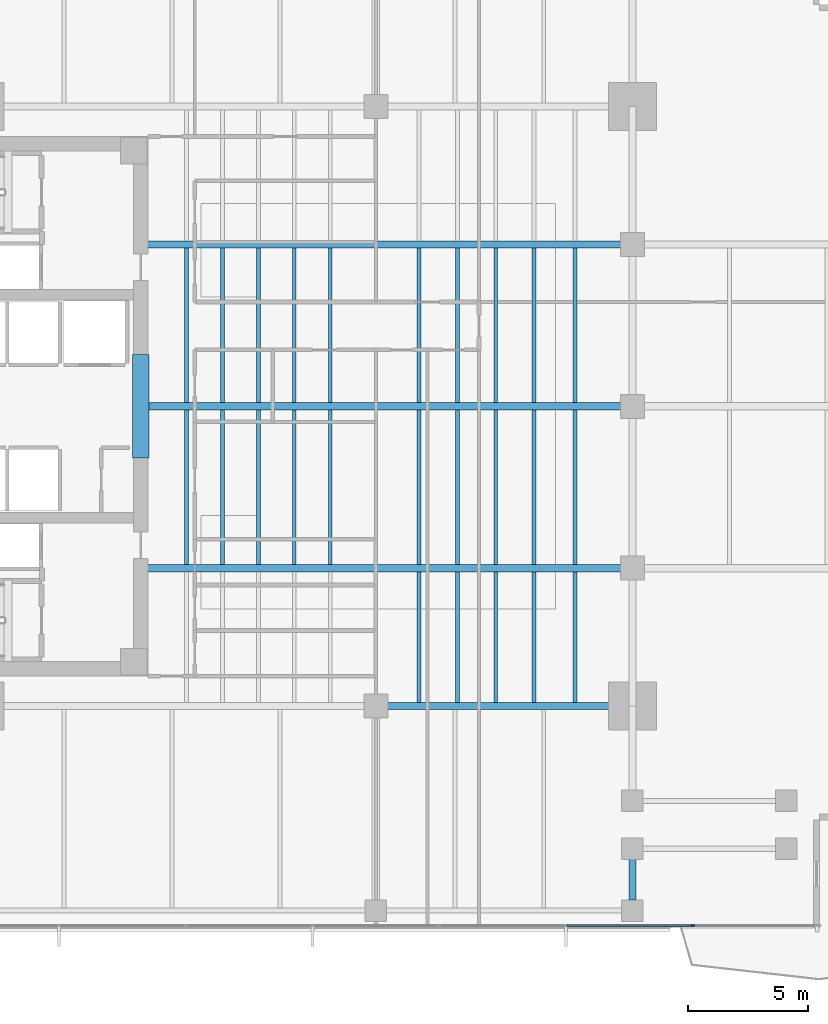
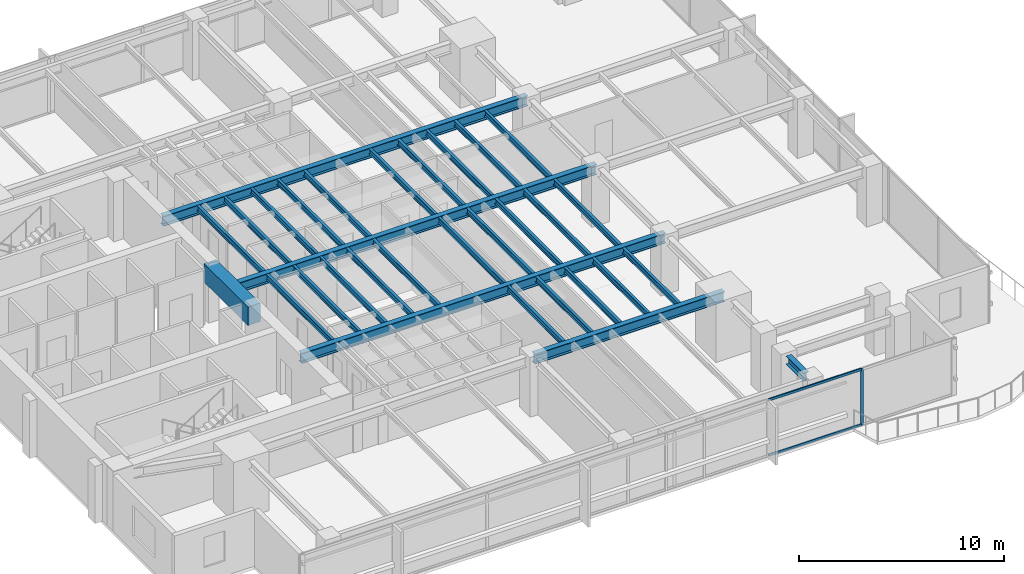
# One storey, part 3 of 14: 31 beams, 3 members, 1 element without a shape of its own.
"""IFC4 building model written with IfcOpenShell, lengths in metres."""

from ifc_helpers import new_model, si_unit, direction, frame, origin, origin_2d, place, context, subcontext, project, spatial, rectangle, i_section, extrude, material, layer, layer_set, material_profile, profile_set, type_object, element, aggregate, save


model = new_model("IFC4")

# Units and contexts
model_context = context("Model", 3, precision=1e-05, world=origin(), true_north=direction((0.0, 1.0)))
body_context = subcontext(model_context, "Body", "Model", "MODEL_VIEW")
ifc_project = project(units=[si_unit("LENGTHUNIT", "METRE"), si_unit("AREAUNIT", "SQUARE_METRE"), si_unit("VOLUMEUNIT", "CUBIC_METRE"), si_unit("PLANEANGLEUNIT", "RADIAN"), si_unit("MASSUNIT", "GRAM", prefix="KILO")], contexts=[model_context])

# Site, building, storey
site_placement = place(None, origin())
site = spatial("IfcSite", under=ifc_project, at=site_placement, CompositionType="ELEMENT")
building_placement = place(site_placement, origin())
building = spatial("IfcBuilding", under=site, at=building_placement, Name="Kinhvarn Gate Tower", CompositionType="ELEMENT")
storey_placement = place(building_placement, frame((0.0, 0.0, 162.60009765625)))
storey = spatial("IfcBuildingStorey", under=building, at=storey_placement, Name="L43", CompositionType="ELEMENT", Elevation=162.60009765625)

# Beam
ifc_material_1 = material(Name="Concrete C70/85", Category="concrete")
ifc_material_profile_1 = material_profile(ifc_material_1, rectangle(XDim=0.699951171875, YDim=1.10009765625, at=origin_2d()), Name="RC 700x1100")
ifc_profile_set_1 = profile_set([ifc_material_profile_1], Name="Concrete C70/85")
beam_type_1 = type_object("IfcBeamType", Name="BM-CB-1100", PredefinedType="LINTEL", material=ifc_profile_set_1)
beam_1_placement = place(storey_placement, frame((17.699951171875, 23.10009765625, 2.81982421875), z_axis=(0.0, 1.0, 0.0), x_axis=(-1.0, 0.0, 0.0)))
element("IfcBeam", 1, at=beam_1_placement, inside=storey, type_object=beam_type_1, Name="Core East Portal Coupling Beam L43", PredefinedType="LINTEL", context=body_context, shape_type="SweptSolid", body=[
    extrude(rectangle(XDim=0.699951171875, YDim=1.10009765625, at=origin_2d()), origin(), (0.0, 0.0, 1.0), 4.2998046875),
])

# Curtain wall, members
ifc_material_2 = material(Name="Anodised aluminium AW-6063", Category="aluminium")
ifc_layer = layer(ifc_material_2, 0.179931640625)
ifc_layer_set = layer_set([ifc_layer], Name="Anodised aluminium AW-6063")
curtain_wall_type = type_object("IfcCurtainWallType", Name="CW-SYS-3", PredefinedType="NOTDEFINED", material=ifc_layer_set)
curtain_wall_placement = place(storey_placement, origin())
curtain_wall = element("IfcCurtainWall", 2, at=curtain_wall_placement, inside=storey, type_object=curtain_wall_type, Name="Curtain Wall CW3 (L43)", PredefinedType="NOTDEFINED")
ifc_material_profile_2 = material_profile(ifc_material_2, rectangle(XDim=0.06494140625, YDim=0.159912109375, at=origin_2d()), Name="ALU 65x160")
ifc_profile_set_2 = profile_set([ifc_material_profile_2], Name="Anodised aluminium AW-6063")
member_type_1 = type_object("IfcMemberType", Name="CW-MUL-160", PredefinedType="MULLION", material=ifc_profile_set_2)
member_1_placement = place(storey_placement, frame((40.71435546875, 3.590087890625, 0.0), z_axis=(0.0, 0.0, 1.0), x_axis=(0.0, 1.0, 0.0)))
member_1 = element("IfcMember", 3, at=member_1_placement, type_object=member_type_1, Name="CW3 mullion 7", PredefinedType="MULLION", context=body_context, shape_type="SweptSolid", body=[
    extrude(rectangle(XDim=0.06494140625, YDim=0.159912109375, at=origin_2d()), origin(), (0.0, 0.0, 1.0), 3.369873046875),
])
ifc_material_profile_3 = material_profile(ifc_material_2, rectangle(XDim=0.070068359375, YDim=0.139892578125, at=origin_2d()), Name="ALU 70x140")
ifc_profile_set_3 = profile_set([ifc_material_profile_3], Name="Anodised aluminium AW-6063")
member_type_2 = type_object("IfcMemberType", Name="CW-TRN-140", PredefinedType="USERDEFINED", material=ifc_profile_set_3)
member_2_placement = place(storey_placement, frame((35.461181640625, 3.590087890625, 0.034912109375), z_axis=(1.0, 0.0, 0.0), x_axis=(0.0, 1.0, 0.0)))
member_2 = element("IfcMember", 4, at=member_2_placement, type_object=member_type_2, Name="CW3 transom 6.1", ObjectType="TRANSOM", PredefinedType="USERDEFINED", context=body_context, shape_type="SweptSolid", body=[
    extrude(rectangle(XDim=0.070068359375, YDim=0.139892578125, at=origin_2d()), origin(), (0.0, 0.0, 1.0), 5.220703125),
])
member_3_placement = place(storey_placement, frame((35.461181640625, 3.590087890625, 3.3349609375), z_axis=(1.0, 0.0, 0.0), x_axis=(0.0, 1.0, 0.0)))
member_3 = element("IfcMember", 5, at=member_3_placement, type_object=member_type_2, Name="CW3 transom 6.2", ObjectType="TRANSOM", PredefinedType="USERDEFINED", context=body_context, shape_type="SweptSolid", body=[
    extrude(rectangle(XDim=0.070068359375, YDim=0.139892578125, at=origin_2d()), origin(), (0.0, 0.0, 1.0), 5.220703125),
])
aggregate(curtain_wall, [member_1, member_2, member_3])

# Beams
ifc_material_3 = material(Name="Steel S355", Category="steel")
ifc_material_profile_4 = material_profile(ifc_material_3, i_section(OverallWidth=0.300048828125, OverallDepth=0.5, WebThickness=0.014404296875, FlangeThickness=0.028076171875, at=origin_2d()), Name="HEB 500")
ifc_profile_set_4 = profile_set([ifc_material_profile_4], Name="Steel S355")
beam_type_2 = type_object("IfcBeamType", Name="STL-HEB500", PredefinedType="BEAM", material=ifc_profile_set_4)
beam_2_placement = place(storey_placement, frame((38.199951171875, 4.655029296875, 3.119873046875), z_axis=(0.0, 1.0, 0.0), x_axis=(-1.0, 0.0, 0.0)))
element("IfcBeam", 6, at=beam_2_placement, inside=storey, type_object=beam_type_2, Name="Floor Beam PG-14 (L43 MCE-S-A0)", PredefinedType="BEAM", context=body_context, shape_type="SweptSolid", body=[
    extrude(i_section(OverallWidth=0.300048828125, OverallDepth=0.5, WebThickness=0.014404296875, FlangeThickness=0.028076171875, at=origin_2d()), origin(), (0.0, 0.0, 1.0), 1.7099609375),
])
ifc_material_profile_5 = material_profile(ifc_material_3, i_section(OverallWidth=0.300048828125, OverallDepth=0.60009765625, WebThickness=0.015380859375, FlangeThickness=0.030029296875, at=origin_2d()), Name="HEB 600")
ifc_profile_set_5 = profile_set([ifc_material_profile_5], Name="Steel S355")
beam_type_3 = type_object("IfcBeamType", Name="STL-HEB600", PredefinedType="BEAM", material=ifc_profile_set_5)
beam_3_placement = place(storey_placement, frame((27.5, 12.75, 3.06982421875), z_axis=(1.0, 0.0, 0.0), x_axis=(0.0, 1.0, 0.0)))
element("IfcBeam", 7, at=beam_3_placement, inside=storey, type_object=beam_type_3, Name="Floor Beam PG-16 (L43 MG-S2)", PredefinedType="BEAM", context=body_context, shape_type="SweptSolid", body=[
    extrude(i_section(OverallWidth=0.300048828125, OverallDepth=0.60009765625, WebThickness=0.015380859375, FlangeThickness=0.030029296875, at=origin_2d()), origin(), (0.0, 0.0, 1.0), 10.699951171875),
])
beam_4_placement = place(storey_placement, frame((17.64990234375, 18.5, 3.06982421875), z_axis=(1.0, 0.0, 0.0), x_axis=(0.0, 1.0, 0.0)))
element("IfcBeam", 8, at=beam_4_placement, inside=storey, type_object=beam_type_3, Name="Floor Beam PG-16 (L43 EW1-Y18)", PredefinedType="BEAM", context=body_context, shape_type="SweptSolid", body=[
    extrude(i_section(OverallWidth=0.300048828125, OverallDepth=0.60009765625, WebThickness=0.015380859375, FlangeThickness=0.030029296875, at=origin_2d()), origin(), (0.0, 0.0, 1.0), 20.550048828125),
])
beam_5_placement = place(storey_placement, frame((18.050048828125, 25.25, 3.06982421875), z_axis=(1.0, 0.0, 0.0), x_axis=(0.0, 1.0, 0.0)))
element("IfcBeam", 9, at=beam_5_placement, inside=storey, type_object=beam_type_3, Name="Floor Beam PG-16 (L43 EW1-Y25)", PredefinedType="BEAM", context=body_context, shape_type="SweptSolid", body=[
    extrude(i_section(OverallWidth=0.300048828125, OverallDepth=0.60009765625, WebThickness=0.015380859375, FlangeThickness=0.030029296875, at=origin_2d()), origin(), (0.0, 0.0, 1.0), 20.14990234375),
])
beam_6_placement = place(storey_placement, frame((17.64990234375, 32.0, 3.06982421875), z_axis=(1.0, 0.0, 0.0), x_axis=(0.0, 1.0, 0.0)))
element("IfcBeam", 10, at=beam_6_placement, inside=storey, type_object=beam_type_3, Name="Floor Beam PG-16 (L43 EW1-Y32)", PredefinedType="BEAM", context=body_context, shape_type="SweptSolid", body=[
    extrude(i_section(OverallWidth=0.300048828125, OverallDepth=0.60009765625, WebThickness=0.015380859375, FlangeThickness=0.030029296875, at=origin_2d()), origin(), (0.0, 0.0, 1.0), 20.550048828125),
])
ifc_material_profile_6 = material_profile(ifc_material_3, i_section(OverallWidth=0.159912109375, OverallDepth=0.330078125, WebThickness=0.007568359375, FlangeThickness=0.011474609375, at=origin_2d()), Name="IPE 330")
ifc_profile_set_6 = profile_set([ifc_material_profile_6], Name="Steel S355")
beam_type_4 = type_object("IfcBeamType", Name="STL-IPE330", PredefinedType="JOIST", material=ifc_profile_set_6)
for number, where, z_axis, x_axis, name in (
    (11, (19.60009765625, 18.64990234375, 3.204833984375), (0.0, 1.0, 0.0), (-1.0, 0.0, 0.0), "Floor Joist SB-03 (L43 JC-X196-1)"),
    (12, (19.60009765625, 25.39990234375, 3.204833984375), (0.0, 1.0, 0.0), (-1.0, 0.0, 0.0), "Floor Joist SB-03 (L43 JC-X196-2)"),
    (13, (21.10009765625, 18.64990234375, 3.204833984375), (0.0, 1.0, 0.0), (-1.0, 0.0, 0.0), "Floor Joist SB-03 (L43 JC-X211-1)"),
    (14, (21.10009765625, 25.39990234375, 3.204833984375), (0.0, 1.0, 0.0), (-1.0, 0.0, 0.0), "Floor Joist SB-03 (L43 JC-X211-2)"),
    (15, (22.60009765625, 18.64990234375, 3.204833984375), (0.0, 1.0, 0.0), (-1.0, 0.0, 0.0), "Floor Joist SB-03 (L43 JC-X226-1)"),
    (16, (22.60009765625, 25.39990234375, 3.204833984375), (0.0, 1.0, 0.0), (-1.0, 0.0, 0.0), "Floor Joist SB-03 (L43 JC-X226-2)"),
    (17, (24.10009765625, 18.64990234375, 3.204833984375), (0.0, 1.0, 0.0), (-1.0, 0.0, 0.0), "Floor Joist SB-03 (L43 JC-X241-1)"),
    (18, (24.10009765625, 25.39990234375, 3.204833984375), (0.0, 1.0, 0.0), (-1.0, 0.0, 0.0), "Floor Joist SB-03 (L43 JC-X241-2)"),
    (19, (25.60009765625, 18.64990234375, 3.204833984375), (0.0, 1.0, 0.0), (-1.0, 0.0, 0.0), "Floor Joist SB-03 (L43 JC-X256-1)"),
    (20, (25.60009765625, 25.39990234375, 3.204833984375), (0.0, 1.0, 0.0), (-1.0, 0.0, 0.0), "Floor Joist SB-03 (L43 JC-X256-2)"),
):
    element("IfcBeam", number, at=place(storey_placement, frame(where, z_axis=z_axis, x_axis=x_axis)), inside=storey, type_object=beam_type_4, Name=name, PredefinedType="JOIST", context=body_context, shape_type="SweptSolid", body=[
        extrude(i_section(OverallWidth=0.159912109375, OverallDepth=0.330078125, WebThickness=0.007568359375, FlangeThickness=0.011474609375, at=origin_2d()), origin(), (0.0, 0.0, 1.0), 6.4501953125),
    ])
beam_7_placement = place(storey_placement, frame((29.300048828125, 12.89990234375, 3.204833984375), z_axis=(0.0, 1.0, 0.0), x_axis=(-1.0, 0.0, 0.0)))
element("IfcBeam", 21, at=beam_7_placement, inside=storey, type_object=beam_type_4, Name="Floor Joist SB-03 (L43 JC-X293-0)", PredefinedType="JOIST", context=body_context, shape_type="SweptSolid", body=[
    extrude(i_section(OverallWidth=0.159912109375, OverallDepth=0.330078125, WebThickness=0.007568359375, FlangeThickness=0.011474609375, at=origin_2d()), origin(), (0.0, 0.0, 1.0), 5.4501953125),
])
for number, where, z_axis, x_axis, name in (
    (22, (29.300048828125, 18.64990234375, 3.204833984375), (0.0, 1.0, 0.0), (-1.0, 0.0, 0.0), "Floor Joist SB-03 (L43 JC-X293-1)"),
    (23, (29.300048828125, 25.39990234375, 3.204833984375), (0.0, 1.0, 0.0), (-1.0, 0.0, 0.0), "Floor Joist SB-03 (L43 JC-X293-2)"),
):
    element("IfcBeam", number, at=place(storey_placement, frame(where, z_axis=z_axis, x_axis=x_axis)), inside=storey, type_object=beam_type_4, Name=name, PredefinedType="JOIST", context=body_context, shape_type="SweptSolid", body=[
        extrude(i_section(OverallWidth=0.159912109375, OverallDepth=0.330078125, WebThickness=0.007568359375, FlangeThickness=0.011474609375, at=origin_2d()), origin(), (0.0, 0.0, 1.0), 6.4501953125),
    ])
beam_8_placement = place(storey_placement, frame((30.89990234375, 12.89990234375, 3.204833984375), z_axis=(0.0, 1.0, 0.0), x_axis=(-1.0, 0.0, 0.0)))
element("IfcBeam", 24, at=beam_8_placement, inside=storey, type_object=beam_type_4, Name="Floor Joist SB-03 (L43 JC-X309-0)", PredefinedType="JOIST", context=body_context, shape_type="SweptSolid", body=[
    extrude(i_section(OverallWidth=0.159912109375, OverallDepth=0.330078125, WebThickness=0.007568359375, FlangeThickness=0.011474609375, at=origin_2d()), origin(), (0.0, 0.0, 1.0), 5.4501953125),
])
for number, where, z_axis, x_axis, name in (
    (25, (30.89990234375, 18.64990234375, 3.204833984375), (0.0, 1.0, 0.0), (-1.0, 0.0, 0.0), "Floor Joist SB-03 (L43 JC-X309-1)"),
    (26, (30.89990234375, 25.39990234375, 3.204833984375), (0.0, 1.0, 0.0), (-1.0, 0.0, 0.0), "Floor Joist SB-03 (L43 JC-X309-2)"),
):
    element("IfcBeam", number, at=place(storey_placement, frame(where, z_axis=z_axis, x_axis=x_axis)), inside=storey, type_object=beam_type_4, Name=name, PredefinedType="JOIST", context=body_context, shape_type="SweptSolid", body=[
        extrude(i_section(OverallWidth=0.159912109375, OverallDepth=0.330078125, WebThickness=0.007568359375, FlangeThickness=0.011474609375, at=origin_2d()), origin(), (0.0, 0.0, 1.0), 6.4501953125),
    ])
beam_9_placement = place(storey_placement, frame((32.5, 12.89990234375, 3.204833984375), z_axis=(0.0, 1.0, 0.0), x_axis=(-1.0, 0.0, 0.0)))
element("IfcBeam", 27, at=beam_9_placement, inside=storey, type_object=beam_type_4, Name="Floor Joist SB-03 (L43 JC-X325-0)", PredefinedType="JOIST", context=body_context, shape_type="SweptSolid", body=[
    extrude(i_section(OverallWidth=0.159912109375, OverallDepth=0.330078125, WebThickness=0.007568359375, FlangeThickness=0.011474609375, at=origin_2d()), origin(), (0.0, 0.0, 1.0), 5.4501953125),
])
for number, where, z_axis, x_axis, name in (
    (28, (32.5, 18.64990234375, 3.204833984375), (0.0, 1.0, 0.0), (-1.0, 0.0, 0.0), "Floor Joist SB-03 (L43 JC-X325-1)"),
    (29, (32.5, 25.39990234375, 3.204833984375), (0.0, 1.0, 0.0), (-1.0, 0.0, 0.0), "Floor Joist SB-03 (L43 JC-X325-2)"),
):
    element("IfcBeam", number, at=place(storey_placement, frame(where, z_axis=z_axis, x_axis=x_axis)), inside=storey, type_object=beam_type_4, Name=name, PredefinedType="JOIST", context=body_context, shape_type="SweptSolid", body=[
        extrude(i_section(OverallWidth=0.159912109375, OverallDepth=0.330078125, WebThickness=0.007568359375, FlangeThickness=0.011474609375, at=origin_2d()), origin(), (0.0, 0.0, 1.0), 6.4501953125),
    ])
beam_10_placement = place(storey_placement, frame((34.10009765625, 12.89990234375, 3.204833984375), z_axis=(0.0, 1.0, 0.0), x_axis=(-1.0, 0.0, 0.0)))
element("IfcBeam", 30, at=beam_10_placement, inside=storey, type_object=beam_type_4, Name="Floor Joist SB-03 (L43 JC-X341-0)", PredefinedType="JOIST", context=body_context, shape_type="SweptSolid", body=[
    extrude(i_section(OverallWidth=0.159912109375, OverallDepth=0.330078125, WebThickness=0.007568359375, FlangeThickness=0.011474609375, at=origin_2d()), origin(), (0.0, 0.0, 1.0), 5.4501953125),
])
for number, where, z_axis, x_axis, name in (
    (31, (34.10009765625, 18.64990234375, 3.204833984375), (0.0, 1.0, 0.0), (-1.0, 0.0, 0.0), "Floor Joist SB-03 (L43 JC-X341-1)"),
    (32, (34.10009765625, 25.39990234375, 3.204833984375), (0.0, 1.0, 0.0), (-1.0, 0.0, 0.0), "Floor Joist SB-03 (L43 JC-X341-2)"),
):
    element("IfcBeam", number, at=place(storey_placement, frame(where, z_axis=z_axis, x_axis=x_axis)), inside=storey, type_object=beam_type_4, Name=name, PredefinedType="JOIST", context=body_context, shape_type="SweptSolid", body=[
        extrude(i_section(OverallWidth=0.159912109375, OverallDepth=0.330078125, WebThickness=0.007568359375, FlangeThickness=0.011474609375, at=origin_2d()), origin(), (0.0, 0.0, 1.0), 6.4501953125),
    ])
beam_11_placement = place(storey_placement, frame((35.800048828125, 12.89990234375, 3.204833984375), z_axis=(0.0, 1.0, 0.0), x_axis=(-1.0, 0.0, 0.0)))
element("IfcBeam", 33, at=beam_11_placement, inside=storey, type_object=beam_type_4, Name="Floor Joist SB-03 (L43 JC-X358-0)", PredefinedType="JOIST", context=body_context, shape_type="SweptSolid", body=[
    extrude(i_section(OverallWidth=0.159912109375, OverallDepth=0.330078125, WebThickness=0.007568359375, FlangeThickness=0.011474609375, at=origin_2d()), origin(), (0.0, 0.0, 1.0), 5.4501953125),
])
for number, where, z_axis, x_axis, name in (
    (34, (35.800048828125, 18.64990234375, 3.204833984375), (0.0, 1.0, 0.0), (-1.0, 0.0, 0.0), "Floor Joist SB-03 (L43 JC-X358-1)"),
    (35, (35.800048828125, 25.39990234375, 3.204833984375), (0.0, 1.0, 0.0), (-1.0, 0.0, 0.0), "Floor Joist SB-03 (L43 JC-X358-2)"),
):
    element("IfcBeam", number, at=place(storey_placement, frame(where, z_axis=z_axis, x_axis=x_axis)), inside=storey, type_object=beam_type_4, Name=name, PredefinedType="JOIST", context=body_context, shape_type="SweptSolid", body=[
        extrude(i_section(OverallWidth=0.159912109375, OverallDepth=0.330078125, WebThickness=0.007568359375, FlangeThickness=0.011474609375, at=origin_2d()), origin(), (0.0, 0.0, 1.0), 6.4501953125),
    ])

save(model, "model.ifc")
